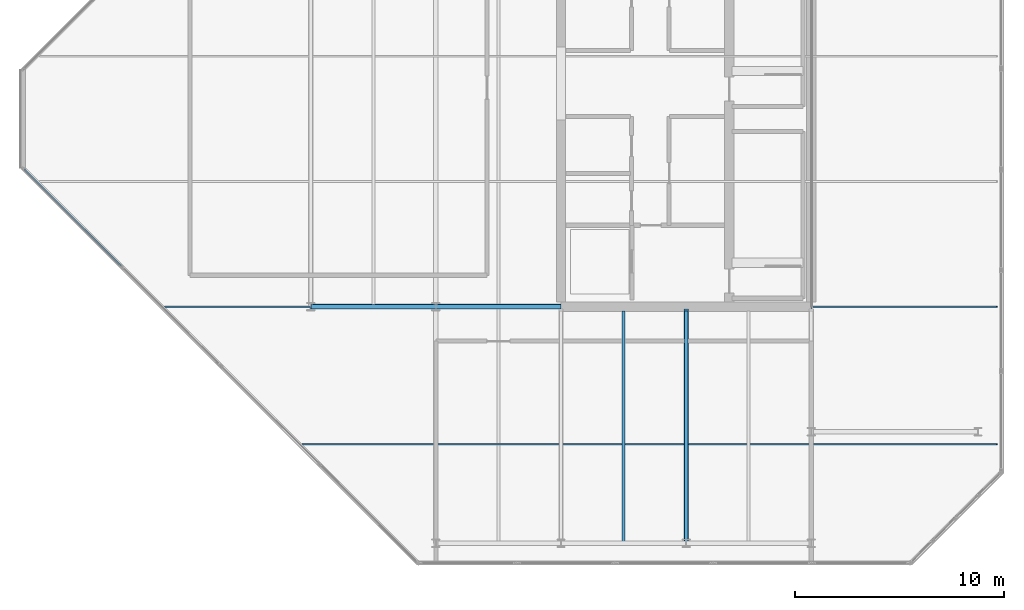
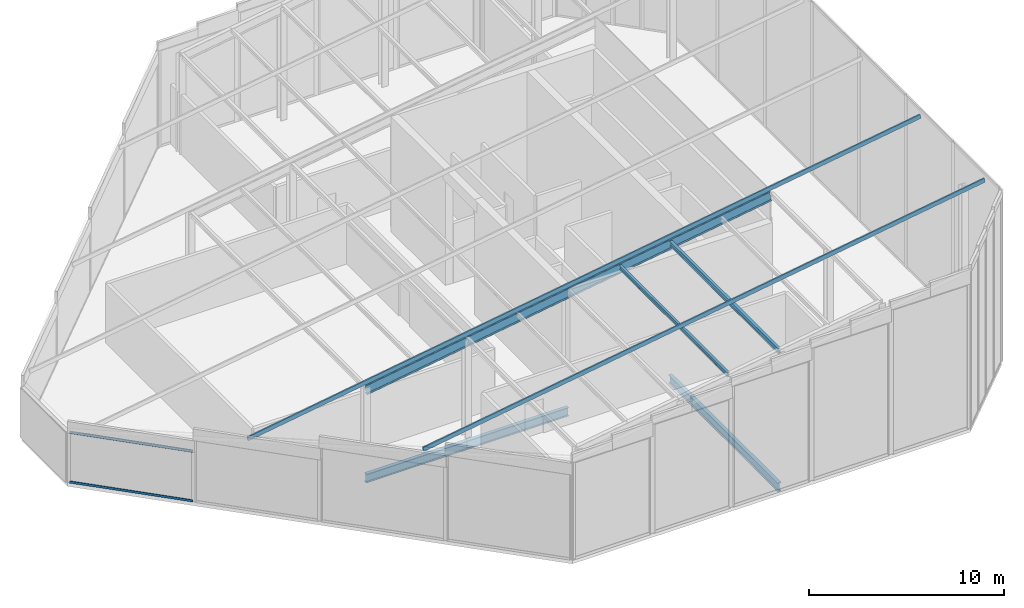
# One storey, part 5 of 30: 6 members, 4 beams, 1 element without a shape of its own.
"""IFC4 building model written with IfcOpenShell, lengths in metres."""

from ifc_helpers import new_model, si_unit, direction, frame, origin, origin_2d, place, context, subcontext, project, spatial, hollow_rectangle, i_section, extrude, material, layer, layer_set, material_profile, profile_set, type_object, element, aggregate, save


model = new_model("IFC4")

# Units and contexts
model_context = context("Model", 3, precision=1e-05, world=origin(), true_north=direction((0.0, 1.0)))
body_context = subcontext(model_context, "Body", "Model", "MODEL_VIEW")
ifc_project = project(units=[si_unit("LENGTHUNIT", "METRE"), si_unit("AREAUNIT", "SQUARE_METRE"), si_unit("VOLUMEUNIT", "CUBIC_METRE"), si_unit("PLANEANGLEUNIT", "RADIAN"), si_unit("MASSUNIT", "GRAM", prefix="KILO")], contexts=[model_context])

# Site, building, storey
site_placement = place(None, origin())
site = spatial("IfcSite", under=ifc_project, at=site_placement, CompositionType="ELEMENT")
building_placement = place(site_placement, origin())
building = spatial("IfcBuilding", under=site, at=building_placement, Name="Tanjung Sevakor Pilgrim Tower", CompositionType="ELEMENT")
storey_placement = place(building_placement, frame((0.0, 0.0, 287.760009765625)))
storey = spatial("IfcBuildingStorey", under=building, at=storey_placement, Name="L80", CompositionType="ELEMENT", Elevation=287.760009765625)

# Beams
ifc_material_1 = material(Name="Steel S355J2", Category="steel")
ifc_material_profile_1 = material_profile(ifc_material_1, i_section(OverallWidth=0.22900390625, OverallDepth=0.6123046875, WebThickness=0.011962890625, FlangeThickness=0.01953125, FilletRadius=0.0126953125, at=origin_2d()))
ifc_profile_set_1 = profile_set([ifc_material_profile_1], Name="Steel S355J2")
beam_type_1 = type_object("IfcBeamType", Name="BM-B-G4-UB_610x229x125", PredefinedType="BEAM", material=ifc_profile_set_1)
beam_1_placement = place(storey_placement, frame((66.0, 24.60009765625, 5.017822265625), z_axis=(0.987881396112, 0.0, 0.155210654327), x_axis=(0.0, 1.0, 0.0)))
element("IfcBeam", 1, at=beam_1_placement, inside=storey, type_object=beam_type_1, Name="L80 Sloped Crown Raking Girder 01", PredefinedType="BEAM", context=body_context, shape_type="SweptSolid", body=[
    extrude(i_section(OverallWidth=0.22900390625, OverallDepth=0.6123046875, WebThickness=0.011962890625, FlangeThickness=0.01953125, FilletRadius=0.0126953125, at=origin_2d()), origin(), (0.0, 0.0, 1.0), 24.29443359375),
])
ifc_material_2 = material(Name="Steel S355J2", Category="steel")
ifc_material_profile_2 = material_profile(ifc_material_2, i_section(OverallWidth=0.2119140625, OverallDepth=0.54443359375, WebThickness=0.0126953125, FlangeThickness=0.021240234375, FilletRadius=0.0126953125, at=origin_2d()))
ifc_profile_set_2 = profile_set([ifc_material_profile_2], Name="Steel S355J2")
beam_type_2 = type_object("IfcBeamType", Name="BM-B-G5-UB_533x210x122", PredefinedType="BEAM", material=ifc_profile_set_2)
for number, where, z_axis, x_axis, name in (
    (2, (66.0, 24.60009765625, -0.5322265625), (1.0, 0.0, 0.0), (0.0, 1.0, 0.0), "L80 Primary Floor Girder EAST Y246-01"),
    (3, (72.0, 24.60009765625, -0.5322265625), (1.0, 0.0, 0.0), (0.0, 1.0, 0.0), "L80 Primary Floor Girder EAST Y246-02"),
):
    element("IfcBeam", number, at=place(storey_placement, frame(where, z_axis=z_axis, x_axis=x_axis)), inside=storey, type_object=beam_type_2, Name=name, PredefinedType="BEAM", context=body_context, shape_type="SweptSolid", body=[
        extrude(i_section(OverallWidth=0.2119140625, OverallDepth=0.54443359375, WebThickness=0.0126953125, FlangeThickness=0.021240234375, FilletRadius=0.0126953125, at=origin_2d()), origin(), (0.0, 0.0, 1.0), 6.0),
    ])
ifc_material_3 = material(Name="Steel S355J2", Category="steel")
ifc_material_profile_3 = material_profile(ifc_material_3, i_section(OverallWidth=0.210693359375, OverallDepth=0.53955078125, WebThickness=0.01171875, FlangeThickness=0.018798828125, FilletRadius=0.0126953125, at=origin_2d()))
ifc_profile_set_3 = profile_set([ifc_material_profile_3], Name="Steel S355J2")
beam_type_3 = type_object("IfcBeamType", Name="BM-B-G6-UB_533x210x109", PredefinedType="BEAM", material=ifc_profile_set_3)
beam_2_placement = place(storey_placement, frame((84.0, 13.25, -0.52978515625), z_axis=(0.0, 1.0, 0.0), x_axis=(-1.0, 0.0, 0.0)))
element("IfcBeam", 4, at=beam_2_placement, inside=storey, type_object=beam_type_3, Name="L80 EAST Girder 007", PredefinedType="BEAM", context=body_context, shape_type="SweptSolid", body=[
    extrude(i_section(OverallWidth=0.210693359375, OverallDepth=0.53955078125, WebThickness=0.01171875, FlangeThickness=0.018798828125, FilletRadius=0.0126953125, at=origin_2d()), origin(), (0.0, 0.0, 1.0), 11.243896484375),
])

# Members
ifc_material_4 = material(Name="Steel S355J2", Category="steel")
ifc_material_profile_4 = material_profile(ifc_material_4, i_section(OverallWidth=0.165771484375, OverallDepth=0.306640625, WebThickness=0.006591796875, FlangeThickness=0.01171875, FilletRadius=0.0087890625, at=origin_2d()))
ifc_profile_set_4 = profile_set([ifc_material_profile_4], Name="Steel S355J2")
member_type_1 = type_object("IfcMemberType", Name="MEM-M-PR1-UB_305x165x46", PredefinedType="PURLIN", material=ifc_profile_set_4)
member_1_placement = place(storey_placement, frame((84.0, 13.25, 7.99853515625), z_axis=(0.0, 1.0, 0.0), x_axis=(-1.0, 0.0, 0.0)))
element("IfcMember", 5, at=member_1_placement, inside=storey, type_object=member_type_1, Name="L80 Crown Roof Purlin 09", PredefinedType="PURLIN", context=body_context, shape_type="SweptSolid", body=[
    extrude(i_section(OverallWidth=0.165771484375, OverallDepth=0.306640625, WebThickness=0.006591796875, FlangeThickness=0.01171875, FilletRadius=0.0087890625, at=origin_2d()), origin(), (0.0, 0.0, 1.0), 11.14990234375),
])
ifc_material_5 = material(Name="Steel S355J2", Category="steel")
ifc_material_profile_5 = material_profile(ifc_material_5, i_section(OverallWidth=0.146484375, OverallDepth=0.256103515625, WebThickness=0.00634765625, FlangeThickness=0.010986328125, FilletRadius=0.007568359375, at=origin_2d()))
ifc_profile_set_5 = profile_set([ifc_material_profile_5], Name="Steel S355J2")
member_type_2 = type_object("IfcMemberType", Name="MEM-M-PR2-UB_254x146x37", PredefinedType="PURLIN", material=ifc_profile_set_5)
member_2_placement = place(storey_placement, frame((81.0, 13.25, 7.552490234375), z_axis=(0.0, 1.0, 0.0), x_axis=(-1.0, 0.0, 0.0)))
element("IfcMember", 6, at=member_2_placement, inside=storey, type_object=member_type_2, Name="L80 Crown Roof Purlin 07", PredefinedType="PURLIN", context=body_context, shape_type="SweptSolid", body=[
    extrude(i_section(OverallWidth=0.146484375, OverallDepth=0.256103515625, WebThickness=0.00634765625, FlangeThickness=0.010986328125, FilletRadius=0.007568359375, at=origin_2d()), origin(), (0.0, 0.0, 1.0), 11.14990234375),
])
ifc_material_6 = material(Name="Aluminium 6063-T6", Category="aluminium")
ifc_material_profile_6 = material_profile(ifc_material_6, hollow_rectangle(XDim=0.080078125, YDim=0.260009765625, WallThickness=0.0048828125, at=origin_2d()))
ifc_profile_set_6 = profile_set([ifc_material_profile_6], Name="Aluminium 6063-T6")
member_type_3 = type_object("IfcMemberType", Name="TYPE-CRN-GLZBAR", PredefinedType="PURLIN", material=ifc_profile_set_6)
member_3_placement = place(storey_placement, frame((65.60009765625, 18.0, 5.40087890625), z_axis=(0.987881187119, 0.0, 0.155211984515), x_axis=(0.0, 1.0, 0.0)))
element("IfcMember", 7, at=member_3_placement, inside=storey, type_object=member_type_3, Name="East Peak Sloped Glass Roof Glazing Bar 1", PredefinedType="PURLIN", context=body_context, shape_type="SweptSolid", body=[
    extrude(hollow_rectangle(XDim=0.080078125, YDim=0.260009765625, WallThickness=0.0048828125, at=origin_2d()), origin(), (0.0, 0.0, 1.0), 33.708251953125),
])
member_4_placement = place(storey_placement, frame((59.0, 24.60009765625, 4.364013671875), z_axis=(0.987881627497, 0.0, 0.155209181602), x_axis=(0.0, 1.0, 0.0)))
element("IfcMember", 8, at=member_4_placement, inside=storey, type_object=member_type_3, Name="East Peak Sloped Glass Roof Glazing Bar 2", PredefinedType="PURLIN", context=body_context, shape_type="SweptSolid", body=[
    extrude(hollow_rectangle(XDim=0.080078125, YDim=0.260009765625, WallThickness=0.0048828125, at=origin_2d()), origin(), (0.0, 0.0, 1.0), 40.389404296875),
])

# Curtain wall, members
ifc_material_7 = material(Name="Aluminium 6063-T6 and Low-E Glass", Category="aluminium")
ifc_layer = layer(ifc_material_7, 0.179931640625)
ifc_layer_set = layer_set([ifc_layer], Name="CW-SYS-CHAM")
curtain_wall_type = type_object("IfcCurtainWallType", Name="CW-SYS-CHAM", PredefinedType="NOTDEFINED", material=ifc_layer_set)
curtain_wall_placement = place(storey_placement, origin())
curtain_wall = element("IfcCurtainWall", 9, at=curtain_wall_placement, inside=storey, type_object=curtain_wall_type, Name="L80 Curtain Wall CW-CHM-L80-EAST-7B1", PredefinedType="NOTDEFINED")
ifc_material_8 = material(Name="Aluminium 6063-T6", Category="aluminium")
ifc_material_profile_7 = material_profile(ifc_material_8, hollow_rectangle(XDim=0.06494140625, YDim=0.139892578125, WallThickness=0.00390625, at=origin_2d()))
ifc_profile_set_7 = profile_set([ifc_material_profile_7], Name="Aluminium 6063-T6")
member_type_4 = type_object("IfcMemberType", Name="TYPE-CWT-1", PredefinedType="USERDEFINED", material=ifc_profile_set_7)
member_5_placement = place(storey_placement, frame((52.255859375, 31.19970703125, 0.032470703125), z_axis=(0.707106781187, -0.707106781187, 0.0), x_axis=(0.707106781187, 0.707106781187, 0.0)))
member_5 = element("IfcMember", 10, at=member_5_placement, type_object=member_type_4, Name="CW-CHM transom 1.1", ObjectType="TRANSOM", PredefinedType="USERDEFINED", context=body_context, shape_type="SweptSolid", body=[
    extrude(hollow_rectangle(XDim=0.06494140625, YDim=0.139892578125, WallThickness=0.00390625, at=origin_2d()), origin(), (0.0, 0.0, 1.0), 6.56494140625),
])
member_6_placement = place(storey_placement, frame((52.255859375, 31.19970703125, 3.144775390625), z_axis=(0.707106781187, -0.707106781187, 0.0), x_axis=(0.707106781187, 0.707106781187, 0.0)))
member_6 = element("IfcMember", 11, at=member_6_placement, type_object=member_type_4, Name="CW-CHM transom 1.2", ObjectType="TRANSOM", PredefinedType="USERDEFINED", context=body_context, shape_type="SweptSolid", body=[
    extrude(hollow_rectangle(XDim=0.06494140625, YDim=0.139892578125, WallThickness=0.00390625, at=origin_2d()), origin(), (0.0, 0.0, 1.0), 6.56494140625),
])
aggregate(curtain_wall, [member_5, member_6])

save(model, "model.ifc")
